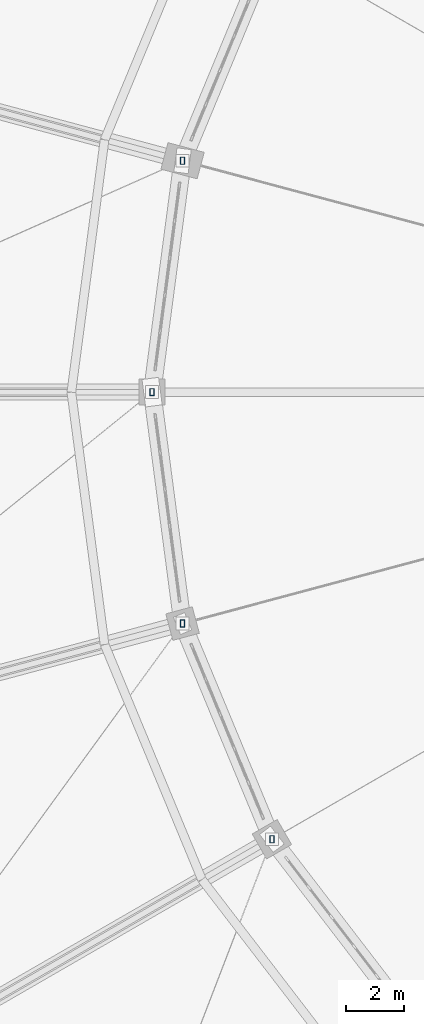
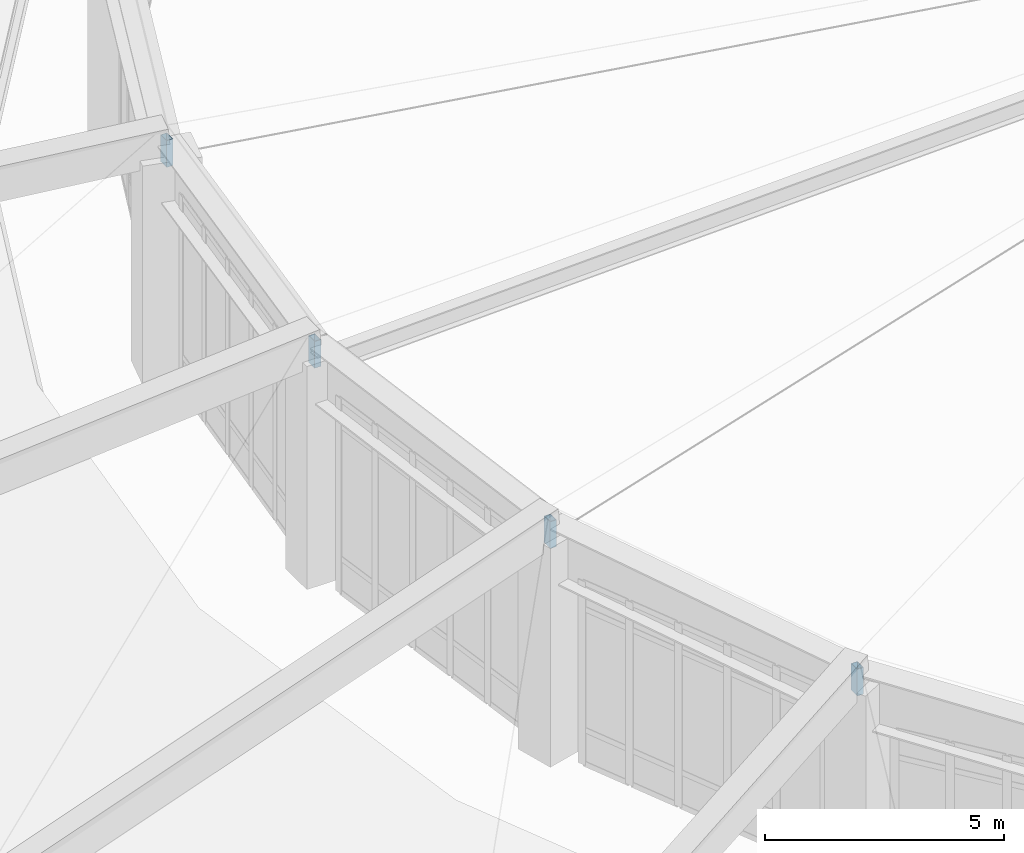
# One storey, part 43 of 68: 4 members.
"""IFC4 building model written with IfcOpenShell, lengths in metres."""

from ifc_helpers import new_model, si_unit, direction, frame, origin, origin_2d, place, context, subcontext, project, spatial, hollow_rectangle, extrude, material, material_profile, profile_set, type_object, element, save


model = new_model("IFC4")

# Units and contexts
model_context = context("Model", 3, precision=1e-05, world=origin(), true_north=direction((0.0, 1.0)))
body_context = subcontext(model_context, "Body", "Model", "MODEL_VIEW")
ifc_project = project(units=[si_unit("LENGTHUNIT", "METRE"), si_unit("AREAUNIT", "SQUARE_METRE"), si_unit("VOLUMEUNIT", "CUBIC_METRE"), si_unit("PLANEANGLEUNIT", "RADIAN"), si_unit("MASSUNIT", "GRAM", prefix="KILO")], contexts=[model_context])

# Site, building, storey
site_placement = place(None, origin())
site = spatial("IfcSite", under=ifc_project, at=site_placement, CompositionType="ELEMENT")
building_placement = place(site_placement, origin())
building = spatial("IfcBuilding", under=site, at=building_placement, Name="Sohan Crest Arena", CompositionType="ELEMENT")
storey_placement = place(building_placement, frame((0.0, 0.0, 27.0)))
storey = spatial("IfcBuildingStorey", under=building, at=storey_placement, Name="RF", CompositionType="ELEMENT", Elevation=27.0)

# Members
ifc_material = material(Name="Steel S355", Category="steel")
ifc_material_profile = material_profile(ifc_material, hollow_rectangle(XDim=0.14990234375, YDim=0.25, WallThickness=0.010009765625, at=origin_2d()), Name="RHS 250x150x10")
ifc_profile_set = profile_set([ifc_material_profile], Name="Steel S355")
member_type = type_object("IfcMemberType", Name="STR-MEM-CH02", PredefinedType="CHORD", material=ifc_profile_set)
for number, where, z_axis, x_axis, name in (
    (1, (68.055908203125, 86.02294921875, 5.218994140625), (0.0, 0.0, 1.0), (1.0, 0.0, 0.0), "Ring beam roof bearing saddle chord RSR-06"),
    (2, (67.0, 78.0, 5.326904296875), (0.0, 0.0, 1.0), (1.0, 0.0, 0.0), "Ring beam roof bearing saddle chord RSR-07"),
    (3, (68.055908203125, 69.97705078125, 5.218994140625), (0.0, 0.0, 1.0), (1.0, 0.0, 0.0), "Ring beam roof bearing saddle chord RSR-08"),
    (4, (71.153076171875, 62.5, 4.904052734375), (0.0, 0.0, 1.0), (1.0, 0.0, 0.0), "Ring beam roof bearing saddle chord RSR-09"),
):
    element("IfcMember", number, at=place(storey_placement, frame(where, z_axis=z_axis, x_axis=x_axis)), inside=storey, type_object=member_type, Name=name, PredefinedType="CHORD", context=body_context, shape_type="SweptSolid", body=[
        extrude(hollow_rectangle(XDim=0.14990234375, YDim=0.25, WallThickness=0.010009765625, at=origin_2d()), origin(), (0.0, 0.0, 1.0), 0.68505859375),
    ])

save(model, "model.ifc")
